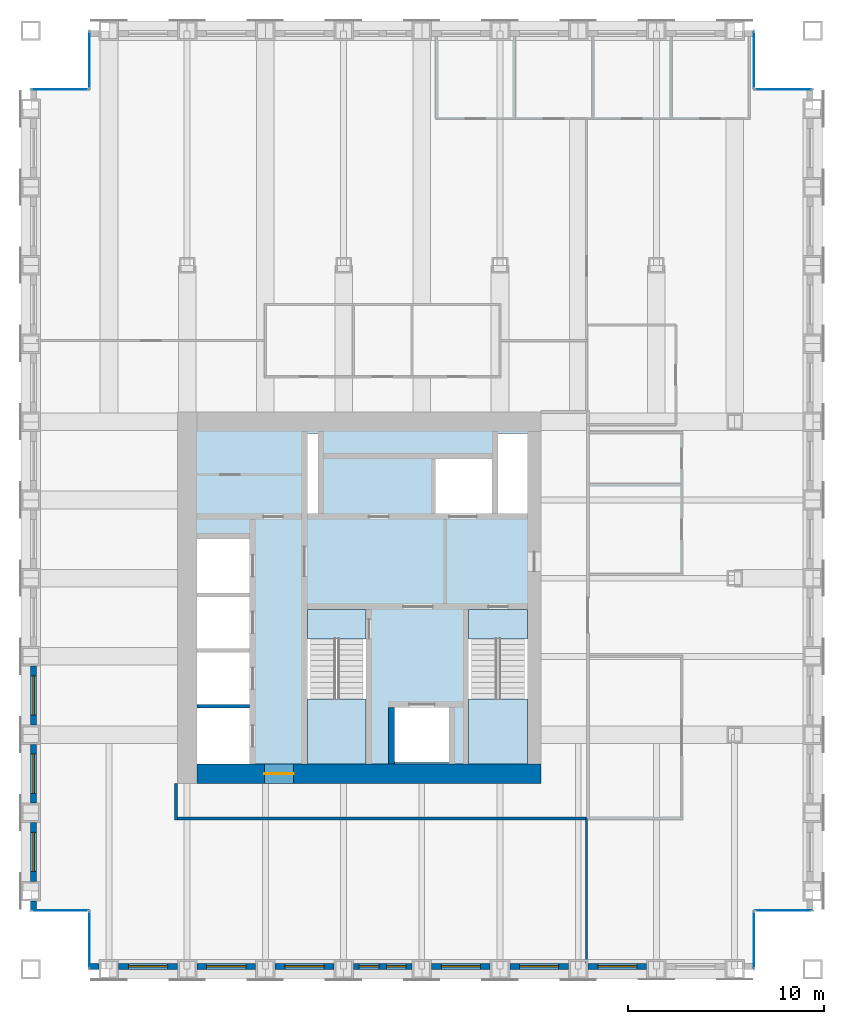
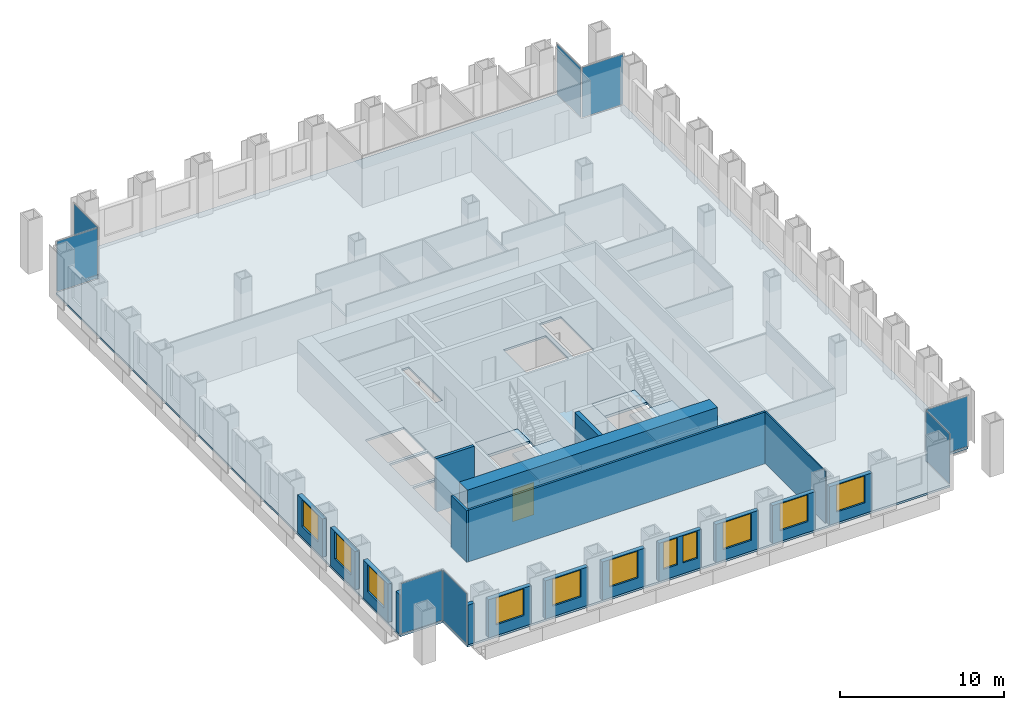
# One storey, part 8 of 13: 18 walls, 11 windows, 8 plates, 5 slabs, 1 door, 12 openings, 10 elements without a shape of their own.
"""IFC4 building model written with IfcOpenShell, lengths in metres."""

from ifc_helpers import new_model, si_unit, direction, frame, frame_2d, origin, origin_2d, place, context, subcontext, project, spatial, polyline, rectangle, outline, extrude, material, layer, layer_set, type_object, element, fill, aggregate, save


model = new_model("IFC4")

# Units and contexts
model_context = context("Model", 3, precision=1e-05, world=origin(), true_north=direction((0.0, 1.0)))
body_context = subcontext(model_context, "Body", "Model", "MODEL_VIEW")
ifc_project = project(units=[si_unit("LENGTHUNIT", "METRE"), si_unit("AREAUNIT", "SQUARE_METRE"), si_unit("VOLUMEUNIT", "CUBIC_METRE"), si_unit("PLANEANGLEUNIT", "RADIAN"), si_unit("MASSUNIT", "GRAM", prefix="KILO")], contexts=[model_context])

# Site, building, storey
site_placement = place(None, origin())
site = spatial("IfcSite", under=ifc_project, at=site_placement, CompositionType="ELEMENT")
building_placement = place(site_placement, origin())
building = spatial("IfcBuilding", under=site, at=building_placement, Name="Rimbunsela Tower", CompositionType="ELEMENT")
storey_placement = place(building_placement, frame((0.0, 0.0, 214.199951171875)))
storey = spatial("IfcBuildingStorey", under=building, at=storey_placement, Name="L51", CompositionType="ELEMENT", Elevation=214.199951171875)

# Slab
ifc_material_1 = material(Name="Concrete fc' 35 MPa", Category="concrete")
ifc_layer_1 = layer(ifc_material_1, 0.14990234375)
ifc_layer_set_1 = layer_set([ifc_layer_1], Name="Floor slab 150")
slab_type_1 = type_object("IfcSlabType", Name="Floor slab 150", PredefinedType="FLOOR", material=ifc_layer_set_1)
slab_1_placement = place(storey_placement, frame((0.0, 0.0, -0.14990234375)))
element("IfcSlab", 1, at=slab_1_placement, inside=storey, type_object=slab_type_1, Name="Floor slab L51", PredefinedType="FLOOR", context=body_context, shape_type="SweptSolid", body=[
    extrude(outline(polyline([(13.0, 8.0), (47.0, 8.0), (47.0, 11.0), (50.0, 11.0), (50.0, 53.0), (47.0, 53.0), (47.0, 56.0), (13.0, 56.0), (13.0, 53.0), (10.0, 53.0), (10.0, 11.0), (13.0, 11.0), (13.0, 8.0)]), holes=[polyline([(21.199951171875, 21.35009765625), (18.5, 21.35009765625), (18.5, 18.5), (21.199951171875, 18.5), (21.199951171875, 21.35009765625)]), polyline([(21.199951171875, 21.550048828125), (21.199951171875, 24.199951171875), (18.5, 24.199951171875), (18.5, 21.550048828125), (21.199951171875, 21.550048828125)]), polyline([(21.199951171875, 27.050048828125), (18.5, 27.050048828125), (18.5, 24.39990234375), (21.199951171875, 24.39990234375), (21.199951171875, 27.050048828125)]), polyline([(21.199951171875, 30.0), (18.5, 30.0), (18.5, 27.25), (21.199951171875, 27.25), (21.199951171875, 30.0)]), polyline([(27.14990234375, 26.39990234375), (24.14990234375, 26.39990234375), (24.14990234375, 18.60009765625), (27.14990234375, 18.60009765625), (27.14990234375, 26.39990234375)]), polyline([(24.699951171875, 31.300048828125), (24.699951171875, 35.39990234375), (24.14990234375, 35.39990234375), (24.14990234375, 31.300048828125), (24.699951171875, 31.300048828125)]), polyline([(31.39990234375, 21.39990234375), (28.60009765625, 21.39990234375), (28.60009765625, 18.60009765625), (31.39990234375, 18.60009765625), (31.39990234375, 21.39990234375)]), polyline([(33.60009765625, 34.10009765625), (30.60009765625, 34.10009765625), (30.60009765625, 31.300048828125), (33.60009765625, 31.300048828125), (33.60009765625, 34.10009765625)]), polyline([(35.39990234375, 18.60009765625), (35.39990234375, 26.39990234375), (32.39990234375, 26.39990234375), (32.39990234375, 18.60009765625), (35.39990234375, 18.60009765625)]), polyline([(35.39990234375, 31.300048828125), (35.39990234375, 35.39990234375), (33.89990234375, 35.39990234375), (33.89990234375, 31.300048828125), (35.39990234375, 31.300048828125)])]), origin(), (0.0, 0.0, 1.0), 0.14990234375),
])

# Curtain wall, plate
ifc_material_2 = material(Name="Aluminium curtain wall", Category="aluminium")
curtain_wall_type = type_object("IfcCurtainWallType", Name="Corner glazing", PredefinedType="USERDEFINED", material=ifc_material_2)
curtain_wall_1_placement = place(storey_placement, origin())
curtain_wall_1 = element("IfcCurtainWall", 2, at=curtain_wall_1_placement, inside=storey, type_object=curtain_wall_type, Name="Corner glazing L51", ObjectType="CORNER GLAZING", PredefinedType="USERDEFINED")
ifc_material_3 = material(Name="Clear double glazing", Category="glass")
ifc_layer_2 = layer(ifc_material_3, 0.028076171875)
ifc_layer_set_2 = layer_set([ifc_layer_2], Name="Glazed panel clear")
plate_type = type_object("IfcPlateType", Name="Glazed panel clear", PredefinedType="CURTAIN_PANEL", material=ifc_layer_set_2)
plate_1_placement = place(storey_placement, frame((47.0, 9.5, 0.06005859375), z_axis=(0.0, 0.0, 1.0), x_axis=(0.0, 1.0, 0.0)))
plate_1 = element("IfcPlate", 3, at=plate_1_placement, type_object=plate_type, Name="CW5 panel 1.1", PredefinedType="CURTAIN_PANEL", context=body_context, shape_type="SweptSolid", body=[
    extrude(rectangle(XDim=2.8798828125, YDim=0.028076171875, at=origin_2d()), origin(), (0.0, 0.0, 1.0), 3.72998046875),
])
aggregate(curtain_wall_1, [plate_1])

curtain_wall_2_placement = place(storey_placement, origin())
curtain_wall_2 = element("IfcCurtainWall", 4, at=curtain_wall_2_placement, inside=storey, type_object=curtain_wall_type, Name="Corner glazing L51", ObjectType="CORNER GLAZING", PredefinedType="USERDEFINED")
plate_2_placement = place(storey_placement, frame((48.5, 11.0, 0.06005859375), z_axis=(0.0, 0.0, 1.0), x_axis=(1.0, 0.0, 0.0)))
plate_2 = element("IfcPlate", 5, at=plate_2_placement, type_object=plate_type, Name="CW5 panel 1.1", PredefinedType="CURTAIN_PANEL", context=body_context, shape_type="SweptSolid", body=[
    extrude(rectangle(XDim=2.8798828125, YDim=0.028076171875, at=origin_2d()), origin(), (0.0, 0.0, 1.0), 3.72998046875),
])
aggregate(curtain_wall_2, [plate_2])

curtain_wall_3_placement = place(storey_placement, origin())
curtain_wall_3 = element("IfcCurtainWall", 6, at=curtain_wall_3_placement, inside=storey, type_object=curtain_wall_type, Name="Corner glazing L51", ObjectType="CORNER GLAZING", PredefinedType="USERDEFINED")
plate_3_placement = place(storey_placement, frame((48.5, 53.0, 0.06005859375), z_axis=(0.0, 0.0, 1.0), x_axis=(-1.0, 0.0, 0.0)))
plate_3 = element("IfcPlate", 7, at=plate_3_placement, type_object=plate_type, Name="CW5 panel 1.1", PredefinedType="CURTAIN_PANEL", context=body_context, shape_type="SweptSolid", body=[
    extrude(rectangle(XDim=2.8798828125, YDim=0.028076171875, at=origin_2d()), origin(), (0.0, 0.0, 1.0), 3.72998046875),
])
aggregate(curtain_wall_3, [plate_3])

curtain_wall_4_placement = place(storey_placement, origin())
curtain_wall_4 = element("IfcCurtainWall", 8, at=curtain_wall_4_placement, inside=storey, type_object=curtain_wall_type, Name="Corner glazing L51", ObjectType="CORNER GLAZING", PredefinedType="USERDEFINED")
plate_4_placement = place(storey_placement, frame((47.0, 54.5, 0.06005859375), z_axis=(0.0, 0.0, 1.0), x_axis=(0.0, 1.0, 0.0)))
plate_4 = element("IfcPlate", 9, at=plate_4_placement, type_object=plate_type, Name="CW5 panel 1.1", PredefinedType="CURTAIN_PANEL", context=body_context, shape_type="SweptSolid", body=[
    extrude(rectangle(XDim=2.8798828125, YDim=0.028076171875, at=origin_2d()), origin(), (0.0, 0.0, 1.0), 3.72998046875),
])
aggregate(curtain_wall_4, [plate_4])

curtain_wall_5_placement = place(storey_placement, origin())
curtain_wall_5 = element("IfcCurtainWall", 10, at=curtain_wall_5_placement, inside=storey, type_object=curtain_wall_type, Name="Corner glazing L51", ObjectType="CORNER GLAZING", PredefinedType="USERDEFINED")
plate_5_placement = place(storey_placement, frame((13.0, 54.5, 0.06005859375), z_axis=(0.0, 0.0, 1.0), x_axis=(0.0, -1.0, 0.0)))
plate_5 = element("IfcPlate", 11, at=plate_5_placement, type_object=plate_type, Name="CW5 panel 1.1", PredefinedType="CURTAIN_PANEL", context=body_context, shape_type="SweptSolid", body=[
    extrude(rectangle(XDim=2.8798828125, YDim=0.028076171875, at=origin_2d()), origin(), (0.0, 0.0, 1.0), 3.72998046875),
])
aggregate(curtain_wall_5, [plate_5])

curtain_wall_6_placement = place(storey_placement, origin())
curtain_wall_6 = element("IfcCurtainWall", 12, at=curtain_wall_6_placement, inside=storey, type_object=curtain_wall_type, Name="Corner glazing L51", ObjectType="CORNER GLAZING", PredefinedType="USERDEFINED")
plate_6_placement = place(storey_placement, frame((11.5, 53.0, 0.06005859375), z_axis=(0.0, 0.0, 1.0), x_axis=(-1.0, 0.0, 0.0)))
plate_6 = element("IfcPlate", 13, at=plate_6_placement, type_object=plate_type, Name="CW5 panel 1.1", PredefinedType="CURTAIN_PANEL", context=body_context, shape_type="SweptSolid", body=[
    extrude(rectangle(XDim=2.8798828125, YDim=0.028076171875, at=origin_2d()), origin(), (0.0, 0.0, 1.0), 3.72998046875),
])
aggregate(curtain_wall_6, [plate_6])

curtain_wall_7_placement = place(storey_placement, origin())
curtain_wall_7 = element("IfcCurtainWall", 14, at=curtain_wall_7_placement, inside=storey, type_object=curtain_wall_type, Name="Corner glazing L51", ObjectType="CORNER GLAZING", PredefinedType="USERDEFINED")
plate_7_placement = place(storey_placement, frame((11.5, 11.0, 0.06005859375), z_axis=(0.0, 0.0, 1.0), x_axis=(1.0, 0.0, 0.0)))
plate_7 = element("IfcPlate", 15, at=plate_7_placement, type_object=plate_type, Name="CW5 panel 1.1", PredefinedType="CURTAIN_PANEL", context=body_context, shape_type="SweptSolid", body=[
    extrude(rectangle(XDim=2.8798828125, YDim=0.028076171875, at=origin_2d()), origin(), (0.0, 0.0, 1.0), 3.72998046875),
])
aggregate(curtain_wall_7, [plate_7])

curtain_wall_8_placement = place(storey_placement, origin())
curtain_wall_8 = element("IfcCurtainWall", 16, at=curtain_wall_8_placement, inside=storey, type_object=curtain_wall_type, Name="Corner glazing L51", ObjectType="CORNER GLAZING", PredefinedType="USERDEFINED")
plate_8_placement = place(storey_placement, frame((13.0, 9.5, 0.06005859375), z_axis=(0.0, 0.0, 1.0), x_axis=(0.0, -1.0, 0.0)))
plate_8 = element("IfcPlate", 17, at=plate_8_placement, type_object=plate_type, Name="CW5 panel 1.1", PredefinedType="CURTAIN_PANEL", context=body_context, shape_type="SweptSolid", body=[
    extrude(rectangle(XDim=2.8798828125, YDim=0.028076171875, at=origin_2d()), origin(), (0.0, 0.0, 1.0), 3.72998046875),
])
aggregate(curtain_wall_8, [plate_8])

# Stair, slabs
ifc_material_4 = material(Name="Concrete fc' 35 MPa", Category="concrete")
stair_type = type_object("IfcStairType", Name="Exit stair 24 risers", PredefinedType="HALF_TURN_STAIR", material=ifc_material_4)
stair_1_placement = place(storey_placement, origin())
stair_1 = element("IfcStair", 18, at=stair_1_placement, inside=storey, type_object=stair_type, Name="Exit stair A L51", PredefinedType="HALF_TURN_STAIR")
ifc_material_5 = material(Name="Concrete fc' 35 MPa", Category="concrete")
ifc_layer_3 = layer(ifc_material_5, 0.199951171875)
ifc_layer_set_3 = layer_set([ifc_layer_3], Name="Stair landing 200")
slab_type_2 = type_object("IfcSlabType", Name="Stair landing 200", PredefinedType="LANDING", material=ifc_layer_set_3)
slab_2_placement = place(storey_placement, frame((0.0, 0.0, -0.199951171875)))
slab_2 = element("IfcSlab", 19, at=slab_2_placement, type_object=slab_type_2, Name="ST-A landing 1", PredefinedType="LANDING", context=body_context, shape_type="SweptSolid", body=[
    extrude(outline(polyline([(24.14990234375, 24.89990234375), (27.14990234375, 24.89990234375), (27.14990234375, 26.39990234375), (24.14990234375, 26.39990234375), (24.14990234375, 24.89990234375)])), origin(), (0.0, 0.0, 1.0), 0.199951171875),
])
slab_3_placement = place(storey_placement, frame((0.0, 0.0, 1.800048828125)))
slab_3 = element("IfcSlab", 20, at=slab_3_placement, type_object=slab_type_2, Name="ST-A landing 2", PredefinedType="LANDING", context=body_context, shape_type="SweptSolid", body=[
    extrude(outline(polyline([(24.14990234375, 18.5), (27.14990234375, 18.5), (27.14990234375, 21.820068359375), (24.14990234375, 21.820068359375), (24.14990234375, 18.5)])), origin(), (0.0, 0.0, 1.0), 0.199951171875),
])
aggregate(stair_1, [slab_2, slab_3])

stair_2_placement = place(storey_placement, origin())
stair_2 = element("IfcStair", 21, at=stair_2_placement, inside=storey, type_object=stair_type, Name="Exit stair B L51", PredefinedType="HALF_TURN_STAIR")
slab_4_placement = place(storey_placement, frame((0.0, 0.0, -0.199951171875)))
slab_4 = element("IfcSlab", 22, at=slab_4_placement, type_object=slab_type_2, Name="ST-B landing 1", PredefinedType="LANDING", context=body_context, shape_type="SweptSolid", body=[
    extrude(outline(polyline([(32.39990234375, 24.89990234375), (35.39990234375, 24.89990234375), (35.39990234375, 26.39990234375), (32.39990234375, 26.39990234375), (32.39990234375, 24.89990234375)])), origin(), (0.0, 0.0, 1.0), 0.199951171875),
])
slab_5_placement = place(storey_placement, frame((0.0, 0.0, 1.800048828125)))
slab_5 = element("IfcSlab", 23, at=slab_5_placement, type_object=slab_type_2, Name="ST-B landing 2", PredefinedType="LANDING", context=body_context, shape_type="SweptSolid", body=[
    extrude(outline(polyline([(32.39990234375, 18.5), (35.39990234375, 18.5), (35.39990234375, 21.820068359375), (32.39990234375, 21.820068359375), (32.39990234375, 18.5)])), origin(), (0.0, 0.0, 1.0), 0.199951171875),
])
aggregate(stair_2, [slab_4, slab_5])

# Wall
ifc_material_6 = material(Name="Concrete fc' 80 MPa", Category="concrete")
ifc_layer_4 = layer(ifc_material_6, 0.300048828125)
ifc_layer_set_4 = layer_set([ifc_layer_4], Name="Core internal wall 300")
wall_type_1 = type_object("IfcWallType", Name="Core internal wall 300", PredefinedType="SHEAR", material=ifc_layer_set_4)
wall_1_placement = place(storey_placement, frame((28.449951171875, 18.5, -0.14990234375), z_axis=(0.0, 0.0, 1.0), x_axis=(0.0, 1.0, 0.0)))
element("IfcWall", 24, at=wall_1_placement, inside=storey, type_object=wall_type_1, Name="Firefighting lift shaft west", PredefinedType="SHEAR", context=body_context, shape_type="SweptSolid", body=[
    extrude(rectangle(XDim=2.89990234375, YDim=0.300048828125, at=frame_2d((1.449951171875, 0.0))), origin(), (0.0, 0.0, 1.0), 4.0),
])

# Wall, opening, door
ifc_material_7 = material(Name="Concrete fc' 80 MPa", Category="concrete")
ifc_layer_5 = layer(ifc_material_7, 1.0)
ifc_layer_set_5 = layer_set([ifc_layer_5], Name="Core wall 1000")
wall_type_2 = type_object("IfcWallType", Name="Core wall 1000", PredefinedType="SHEAR", material=ifc_layer_set_5)
wall_2_placement = place(storey_placement, frame((18.5, 18.0, -0.14990234375), z_axis=(0.0, 0.0, 1.0), x_axis=(1.0, 0.0, 0.0)))
wall_2 = element("IfcWall", 25, at=wall_2_placement, inside=storey, type_object=wall_type_2, Name="Core wall south", PredefinedType="SHEAR", context=body_context, shape_type="SweptSolid", body=[
    extrude(rectangle(XDim=17.60009765625, YDim=1.0, at=frame_2d((8.800048828125, 0.0))), origin(), (0.0, 0.0, 1.0), 4.0),
])
opening_1_placement = place(wall_2_placement, frame((3.449951171875, 0.0, 0.14990234375)))
opening_1 = element("IfcOpeningElement", 26, at=opening_1_placement, cuts=wall_2, Name="Opening D03", PredefinedType="OPENING", context=body_context, shape_type="SweptSolid", body=[
    extrude(rectangle(XDim=1.5, YDim=2.39990234375, at=frame_2d((0.75, 1.199951171875))), frame((0.0, 0.510009765625, 0.0), z_axis=(0.0, -1.0, 0.0), x_axis=(1.0, 0.0, 0.0)), (0.0, 0.0, 1.0), 1.02001953125),
])
ifc_material_8 = material(Name="Steel door, fire rated", Category="steel")
door_type = type_object("IfcDoorType", Name="Core lobby door 1500", OperationType="DOUBLE_DOOR_DOUBLE_SWING", PredefinedType="DOOR", material=ifc_material_8)
door_placement = place(opening_1_placement, origin())
door = element("IfcDoor", 27, at=door_placement, inside=storey, type_object=door_type, Name="Core door south", OperationType="DOUBLE_DOOR_DOUBLE_SWING", OverallHeight=2.39990234375, OverallWidth=1.5, PredefinedType="DOOR", context=body_context, shape_type="SweptSolid", body=[
    extrude(rectangle(XDim=1.5, YDim=2.39990234375, at=frame_2d((0.75, 1.199951171875))), frame((0.0, 0.02490234375, 0.0), z_axis=(0.0, -1.0, 0.0), x_axis=(1.0, 0.0, 0.0)), (0.0, 0.0, 1.0), 0.050048828125),
])
fill(opening_1, door)

# Walls
ifc_material_9 = material(Name="Concrete blockwork", Category="masonry")
ifc_layer_6 = layer(ifc_material_9, 0.199951171875)
ifc_layer_set_6 = layer_set([ifc_layer_6], Name="Lift shaft wall 200")
wall_type_3 = type_object("IfcWallType", Name="Lift shaft wall 200", PredefinedType="SOLIDWALL", material=ifc_layer_set_6)
wall_3_placement = place(storey_placement, frame((18.5, 21.449951171875, -0.14990234375), z_axis=(0.0, 0.0, 1.0), x_axis=(1.0, 0.0, 0.0)))
element("IfcWall", 28, at=wall_3_placement, inside=storey, type_object=wall_type_3, Name="Lift shaft separation", PredefinedType="SOLIDWALL", context=body_context, shape_type="SweptSolid", body=[
    extrude(rectangle(XDim=2.699951171875, YDim=0.199951171875, at=frame_2d((1.35009765625, 0.0))), origin(), (0.0, 0.0, 1.0), 4.0),
])
ifc_material_10 = material(Name="Gypsum board on steel studs", Category="steel")
ifc_layer_7 = layer(ifc_material_10, 0.10009765625)
ifc_layer_set_7 = layer_set([ifc_layer_7], Name="Office partition 100")
wall_type_4 = type_object("IfcWallType", Name="Office partition 100", PredefinedType="PARTITIONING", material=ifc_layer_set_7)
wall_4_placement = place(storey_placement, frame((38.425048828125, 15.699951171875, 0.0), z_axis=(0.0, 0.0, 1.0), x_axis=(0.0, -1.0, 0.0)))
element("IfcWall", 29, at=wall_4_placement, inside=storey, type_object=wall_type_4, Name="Office partition", PredefinedType="PARTITIONING", context=body_context, shape_type="SweptSolid", body=[
    extrude(rectangle(XDim=7.39990234375, YDim=0.10009765625, at=frame_2d((3.699951171875, 0.0))), origin(), (0.0, 0.0, 1.0), 3.85009765625),
])
ifc_material_11 = material(Name="Precast concrete fc' 35 MPa", Category="concrete")
ifc_layer_8 = layer(ifc_material_11, 0.300048828125)
ifc_layer_set_8 = layer_set([ifc_layer_8], Name="Precast concrete fc' 35 MPa")
wall_type_5 = type_object("IfcWallType", Name="Precast facade panel 300", PredefinedType="ELEMENTEDWALL", material=ifc_layer_set_8)
wall_5_placement = place(storey_placement, frame((13.030029296875, 8.14990234375, 0.0), z_axis=(0.0, 0.0, 1.0), x_axis=(1.0, 0.0, 0.0)))
element("IfcWall", 30, at=wall_5_placement, inside=storey, type_object=wall_type_5, Name="Facade panel S L51", PredefinedType="ELEMENTEDWALL", context=body_context, shape_type="SweptSolid", body=[
    extrude(rectangle(XDim=0.469970703125, YDim=0.300048828125, at=frame_2d((0.23486328125, 0.0))), origin(), (0.0, 0.0, 1.0), 2.949951171875),
])

# Wall, opening, window
wall_6_placement = place(storey_placement, frame((14.5, 8.14990234375, 0.0), z_axis=(0.0, 0.0, 1.0), x_axis=(1.0, 0.0, 0.0)))
wall_6 = element("IfcWall", 31, at=wall_6_placement, inside=storey, type_object=wall_type_5, Name="Facade panel S L51", PredefinedType="ELEMENTEDWALL", context=body_context, shape_type="SweptSolid", body=[
    extrude(rectangle(XDim=3.0, YDim=0.300048828125, at=frame_2d((1.5, 0.0))), origin(), (0.0, 0.0, 1.0), 2.85009765625),
])
opening_2_placement = place(wall_6_placement, frame((0.5, 0.0, 0.800048828125)))
opening_2 = element("IfcOpeningElement", 32, at=opening_2_placement, cuts=wall_6, Name="Opening W1", PredefinedType="OPENING", context=body_context, shape_type="SweptSolid", body=[
    extrude(rectangle(XDim=2.0, YDim=2.0, at=frame_2d((1.0, 1.0))), frame((0.0, 0.159912109375, 0.0), z_axis=(0.0, -1.0, 0.0), x_axis=(1.0, 0.0, 0.0)), (0.0, 0.0, 1.0), 0.320068359375),
])
ifc_material_12 = material(Name="Clear glass in aluminium frame", Category="aluminium")
window_type_1 = type_object("IfcWindowType", Name="Window W1 2000x2000", PartitioningType="DOUBLE_PANEL_VERTICAL", PredefinedType="WINDOW", material=ifc_material_12)
window_1_placement = place(opening_2_placement, origin())
window_1 = element("IfcWindow", 33, at=window_1_placement, inside=storey, type_object=window_type_1, Name="Window L51", OverallHeight=2.0, OverallWidth=2.0, PartitioningType="SINGLE_PANEL", PredefinedType="WINDOW", context=body_context, shape_type="SweptSolid", body=[
    extrude(rectangle(XDim=2.0, YDim=2.0, at=frame_2d((1.0, 1.0))), frame((0.0, 0.030029296875, 0.0), z_axis=(0.0, -1.0, 0.0), x_axis=(1.0, 0.0, 0.0)), (0.0, 0.0, 1.0), 0.06005859375),
])
fill(opening_2, window_1)

wall_7_placement = place(storey_placement, frame((18.5, 8.14990234375, 0.0), z_axis=(0.0, 0.0, 1.0), x_axis=(1.0, 0.0, 0.0)))
wall_7 = element("IfcWall", 34, at=wall_7_placement, inside=storey, type_object=wall_type_5, Name="Facade panel S L51", PredefinedType="ELEMENTEDWALL", context=body_context, shape_type="SweptSolid", body=[
    extrude(rectangle(XDim=3.0, YDim=0.300048828125, at=frame_2d((1.5, 0.0))), origin(), (0.0, 0.0, 1.0), 2.85009765625),
])
opening_3_placement = place(wall_7_placement, frame((0.5, 0.0, 0.800048828125)))
opening_3 = element("IfcOpeningElement", 35, at=opening_3_placement, cuts=wall_7, Name="Opening W1", PredefinedType="OPENING", context=body_context, shape_type="SweptSolid", body=[
    extrude(rectangle(XDim=2.0, YDim=2.0, at=frame_2d((1.0, 1.0))), frame((0.0, 0.159912109375, 0.0), z_axis=(0.0, -1.0, 0.0), x_axis=(1.0, 0.0, 0.0)), (0.0, 0.0, 1.0), 0.320068359375),
])
window_2_placement = place(opening_3_placement, origin())
window_2 = element("IfcWindow", 36, at=window_2_placement, inside=storey, type_object=window_type_1, Name="Window L51", OverallHeight=2.0, OverallWidth=2.0, PartitioningType="SINGLE_PANEL", PredefinedType="WINDOW", context=body_context, shape_type="SweptSolid", body=[
    extrude(rectangle(XDim=2.0, YDim=2.0, at=frame_2d((1.0, 1.0))), frame((0.0, 0.030029296875, 0.0), z_axis=(0.0, -1.0, 0.0), x_axis=(1.0, 0.0, 0.0)), (0.0, 0.0, 1.0), 0.06005859375),
])
fill(opening_3, window_2)

wall_8_placement = place(storey_placement, frame((22.5, 8.14990234375, 0.0), z_axis=(0.0, 0.0, 1.0), x_axis=(1.0, 0.0, 0.0)))
wall_8 = element("IfcWall", 37, at=wall_8_placement, inside=storey, type_object=wall_type_5, Name="Facade panel S L51", PredefinedType="ELEMENTEDWALL", context=body_context, shape_type="SweptSolid", body=[
    extrude(rectangle(XDim=3.0, YDim=0.300048828125, at=frame_2d((1.5, 0.0))), origin(), (0.0, 0.0, 1.0), 2.85009765625),
])
opening_4_placement = place(wall_8_placement, frame((0.5, 0.0, 0.800048828125)))
opening_4 = element("IfcOpeningElement", 38, at=opening_4_placement, cuts=wall_8, Name="Opening W1", PredefinedType="OPENING", context=body_context, shape_type="SweptSolid", body=[
    extrude(rectangle(XDim=2.0, YDim=2.0, at=frame_2d((1.0, 1.0))), frame((0.0, 0.159912109375, 0.0), z_axis=(0.0, -1.0, 0.0), x_axis=(1.0, 0.0, 0.0)), (0.0, 0.0, 1.0), 0.320068359375),
])
window_3_placement = place(opening_4_placement, origin())
window_3 = element("IfcWindow", 39, at=window_3_placement, inside=storey, type_object=window_type_1, Name="Window L51", OverallHeight=2.0, OverallWidth=2.0, PartitioningType="SINGLE_PANEL", PredefinedType="WINDOW", context=body_context, shape_type="SweptSolid", body=[
    extrude(rectangle(XDim=2.0, YDim=2.0, at=frame_2d((1.0, 1.0))), frame((0.0, 0.030029296875, 0.0), z_axis=(0.0, -1.0, 0.0), x_axis=(1.0, 0.0, 0.0)), (0.0, 0.0, 1.0), 0.06005859375),
])
fill(opening_4, window_3)

# Wall, openings, windows
wall_9_placement = place(storey_placement, frame((26.5, 8.14990234375, 0.0), z_axis=(0.0, 0.0, 1.0), x_axis=(1.0, 0.0, 0.0)))
wall_9 = element("IfcWall", 40, at=wall_9_placement, inside=storey, type_object=wall_type_5, Name="Facade panel S L51", PredefinedType="ELEMENTEDWALL", context=body_context, shape_type="SweptSolid", body=[
    extrude(rectangle(XDim=3.0, YDim=0.300048828125, at=frame_2d((1.5, 0.0))), origin(), (0.0, 0.0, 1.0), 2.85009765625),
])
opening_5_placement = place(wall_9_placement, frame((0.300048828125, 0.0, 0.800048828125)))
opening_5 = element("IfcOpeningElement", 41, at=opening_5_placement, cuts=wall_9, Name="Opening W5", PredefinedType="OPENING", context=body_context, shape_type="SweptSolid", body=[
    extrude(rectangle(XDim=1.0, YDim=2.0, at=frame_2d((0.5, 1.0))), frame((0.0, 0.159912109375, 0.0), z_axis=(0.0, -1.0, 0.0), x_axis=(1.0, 0.0, 0.0)), (0.0, 0.0, 1.0), 0.320068359375),
])
opening_6_placement = place(wall_9_placement, frame((1.699951171875, 0.0, 0.800048828125)))
opening_6 = element("IfcOpeningElement", 42, at=opening_6_placement, cuts=wall_9, Name="Opening W5", PredefinedType="OPENING", context=body_context, shape_type="SweptSolid", body=[
    extrude(rectangle(XDim=1.0, YDim=2.0, at=frame_2d((0.5, 1.0))), frame((0.0, 0.159912109375, 0.0), z_axis=(0.0, -1.0, 0.0), x_axis=(1.0, 0.0, 0.0)), (0.0, 0.0, 1.0), 0.320068359375),
])
ifc_material_13 = material(Name="Clear glass in aluminium frame", Category="aluminium")
window_type_2 = type_object("IfcWindowType", Name="Window W5 1000x2000", PartitioningType="SINGLE_PANEL", PredefinedType="WINDOW", material=ifc_material_13)
window_4_placement = place(opening_5_placement, origin())
window_4 = element("IfcWindow", 43, at=window_4_placement, inside=storey, type_object=window_type_2, Name="Window L51", OverallHeight=2.0, OverallWidth=1.0, PartitioningType="SINGLE_PANEL", PredefinedType="WINDOW", context=body_context, shape_type="SweptSolid", body=[
    extrude(rectangle(XDim=1.0, YDim=2.0, at=frame_2d((0.5, 1.0))), frame((0.0, 0.030029296875, 0.0), z_axis=(0.0, -1.0, 0.0), x_axis=(1.0, 0.0, 0.0)), (0.0, 0.0, 1.0), 0.06005859375),
])
fill(opening_5, window_4)
window_5_placement = place(opening_6_placement, origin())
window_5 = element("IfcWindow", 44, at=window_5_placement, inside=storey, type_object=window_type_2, Name="Window L51", OverallHeight=2.0, OverallWidth=1.0, PartitioningType="SINGLE_PANEL", PredefinedType="WINDOW", context=body_context, shape_type="SweptSolid", body=[
    extrude(rectangle(XDim=1.0, YDim=2.0, at=frame_2d((0.5, 1.0))), frame((0.0, 0.030029296875, 0.0), z_axis=(0.0, -1.0, 0.0), x_axis=(1.0, 0.0, 0.0)), (0.0, 0.0, 1.0), 0.06005859375),
])
fill(opening_6, window_5)

# Wall, opening, window
wall_10_placement = place(storey_placement, frame((30.5, 8.14990234375, 0.0), z_axis=(0.0, 0.0, 1.0), x_axis=(1.0, 0.0, 0.0)))
wall_10 = element("IfcWall", 45, at=wall_10_placement, inside=storey, type_object=wall_type_5, Name="Facade panel S L51", PredefinedType="ELEMENTEDWALL", context=body_context, shape_type="SweptSolid", body=[
    extrude(rectangle(XDim=3.0, YDim=0.300048828125, at=frame_2d((1.5, 0.0))), origin(), (0.0, 0.0, 1.0), 2.85009765625),
])
opening_7_placement = place(wall_10_placement, frame((0.5, 0.0, 0.800048828125)))
opening_7 = element("IfcOpeningElement", 46, at=opening_7_placement, cuts=wall_10, Name="Opening W1", PredefinedType="OPENING", context=body_context, shape_type="SweptSolid", body=[
    extrude(rectangle(XDim=2.0, YDim=2.0, at=frame_2d((1.0, 1.0))), frame((0.0, 0.159912109375, 0.0), z_axis=(0.0, -1.0, 0.0), x_axis=(1.0, 0.0, 0.0)), (0.0, 0.0, 1.0), 0.320068359375),
])
window_6_placement = place(opening_7_placement, origin())
window_6 = element("IfcWindow", 47, at=window_6_placement, inside=storey, type_object=window_type_1, Name="Window L51", OverallHeight=2.0, OverallWidth=2.0, PartitioningType="SINGLE_PANEL", PredefinedType="WINDOW", context=body_context, shape_type="SweptSolid", body=[
    extrude(rectangle(XDim=2.0, YDim=2.0, at=frame_2d((1.0, 1.0))), frame((0.0, 0.030029296875, 0.0), z_axis=(0.0, -1.0, 0.0), x_axis=(1.0, 0.0, 0.0)), (0.0, 0.0, 1.0), 0.06005859375),
])
fill(opening_7, window_6)

wall_11_placement = place(storey_placement, frame((34.5, 8.14990234375, 0.0), z_axis=(0.0, 0.0, 1.0), x_axis=(1.0, 0.0, 0.0)))
wall_11 = element("IfcWall", 48, at=wall_11_placement, inside=storey, type_object=wall_type_5, Name="Facade panel S L51", PredefinedType="ELEMENTEDWALL", context=body_context, shape_type="SweptSolid", body=[
    extrude(rectangle(XDim=3.0, YDim=0.300048828125, at=frame_2d((1.5, 0.0))), origin(), (0.0, 0.0, 1.0), 2.85009765625),
])
opening_8_placement = place(wall_11_placement, frame((0.5, 0.0, 0.800048828125)))
opening_8 = element("IfcOpeningElement", 49, at=opening_8_placement, cuts=wall_11, Name="Opening W1", PredefinedType="OPENING", context=body_context, shape_type="SweptSolid", body=[
    extrude(rectangle(XDim=2.0, YDim=2.0, at=frame_2d((1.0, 1.0))), frame((0.0, 0.159912109375, 0.0), z_axis=(0.0, -1.0, 0.0), x_axis=(1.0, 0.0, 0.0)), (0.0, 0.0, 1.0), 0.320068359375),
])
window_7_placement = place(opening_8_placement, origin())
window_7 = element("IfcWindow", 50, at=window_7_placement, inside=storey, type_object=window_type_1, Name="Window L51", OverallHeight=2.0, OverallWidth=2.0, PartitioningType="SINGLE_PANEL", PredefinedType="WINDOW", context=body_context, shape_type="SweptSolid", body=[
    extrude(rectangle(XDim=2.0, YDim=2.0, at=frame_2d((1.0, 1.0))), frame((0.0, 0.030029296875, 0.0), z_axis=(0.0, -1.0, 0.0), x_axis=(1.0, 0.0, 0.0)), (0.0, 0.0, 1.0), 0.06005859375),
])
fill(opening_8, window_7)

wall_12_placement = place(storey_placement, frame((38.5, 8.14990234375, 0.0), z_axis=(0.0, 0.0, 1.0), x_axis=(1.0, 0.0, 0.0)))
wall_12 = element("IfcWall", 51, at=wall_12_placement, inside=storey, type_object=wall_type_5, Name="Facade panel S L51", PredefinedType="ELEMENTEDWALL", context=body_context, shape_type="SweptSolid", body=[
    extrude(rectangle(XDim=3.0, YDim=0.300048828125, at=frame_2d((1.5, 0.0))), origin(), (0.0, 0.0, 1.0), 2.85009765625),
])
opening_9_placement = place(wall_12_placement, frame((0.5, 0.0, 0.800048828125)))
opening_9 = element("IfcOpeningElement", 52, at=opening_9_placement, cuts=wall_12, Name="Opening W1", PredefinedType="OPENING", context=body_context, shape_type="SweptSolid", body=[
    extrude(rectangle(XDim=2.0, YDim=2.0, at=frame_2d((1.0, 1.0))), frame((0.0, 0.159912109375, 0.0), z_axis=(0.0, -1.0, 0.0), x_axis=(1.0, 0.0, 0.0)), (0.0, 0.0, 1.0), 0.320068359375),
])
window_8_placement = place(opening_9_placement, origin())
window_8 = element("IfcWindow", 53, at=window_8_placement, inside=storey, type_object=window_type_1, Name="Window L51", OverallHeight=2.0, OverallWidth=2.0, PartitioningType="SINGLE_PANEL", PredefinedType="WINDOW", context=body_context, shape_type="SweptSolid", body=[
    extrude(rectangle(XDim=2.0, YDim=2.0, at=frame_2d((1.0, 1.0))), frame((0.0, 0.030029296875, 0.0), z_axis=(0.0, -1.0, 0.0), x_axis=(1.0, 0.0, 0.0)), (0.0, 0.0, 1.0), 0.06005859375),
])
fill(opening_9, window_8)

# Wall
wall_13_placement = place(storey_placement, frame((10.14990234375, 11.5, 0.0), z_axis=(0.0, 0.0, 1.0), x_axis=(0.0, -1.0, 0.0)))
element("IfcWall", 54, at=wall_13_placement, inside=storey, type_object=wall_type_5, Name="Facade panel W L51", PredefinedType="ELEMENTEDWALL", context=body_context, shape_type="SweptSolid", body=[
    extrude(rectangle(XDim=0.469970703125, YDim=0.300048828125, at=frame_2d((0.23486328125, 0.0))), origin(), (0.0, 0.0, 1.0), 2.949951171875),
])

# Wall, opening, window
wall_14_placement = place(storey_placement, frame((10.14990234375, 15.5, 0.0), z_axis=(0.0, 0.0, 1.0), x_axis=(0.0, -1.0, 0.0)))
wall_14 = element("IfcWall", 55, at=wall_14_placement, inside=storey, type_object=wall_type_5, Name="Facade panel W L51", PredefinedType="ELEMENTEDWALL", context=body_context, shape_type="SweptSolid", body=[
    extrude(rectangle(XDim=3.0, YDim=0.300048828125, at=frame_2d((1.5, 0.0))), origin(), (0.0, 0.0, 1.0), 2.85009765625),
])
opening_10_placement = place(wall_14_placement, frame((0.5, 0.0, 0.800048828125)))
opening_10 = element("IfcOpeningElement", 56, at=opening_10_placement, cuts=wall_14, Name="Opening W1", PredefinedType="OPENING", context=body_context, shape_type="SweptSolid", body=[
    extrude(rectangle(XDim=2.0, YDim=2.0, at=frame_2d((1.0, 1.0))), frame((0.0, 0.159912109375, 0.0), z_axis=(0.0, -1.0, 0.0), x_axis=(1.0, 0.0, 0.0)), (0.0, 0.0, 1.0), 0.320068359375),
])
window_9_placement = place(opening_10_placement, origin())
window_9 = element("IfcWindow", 57, at=window_9_placement, inside=storey, type_object=window_type_1, Name="Window L51", OverallHeight=2.0, OverallWidth=2.0, PartitioningType="SINGLE_PANEL", PredefinedType="WINDOW", context=body_context, shape_type="SweptSolid", body=[
    extrude(rectangle(XDim=2.0, YDim=2.0, at=frame_2d((1.0, 1.0))), frame((0.0, 0.030029296875, 0.0), z_axis=(0.0, -1.0, 0.0), x_axis=(1.0, 0.0, 0.0)), (0.0, 0.0, 1.0), 0.06005859375),
])
fill(opening_10, window_9)

wall_15_placement = place(storey_placement, frame((10.14990234375, 19.5, 0.0), z_axis=(0.0, 0.0, 1.0), x_axis=(0.0, -1.0, 0.0)))
wall_15 = element("IfcWall", 58, at=wall_15_placement, inside=storey, type_object=wall_type_5, Name="Facade panel W L51", PredefinedType="ELEMENTEDWALL", context=body_context, shape_type="SweptSolid", body=[
    extrude(rectangle(XDim=3.0, YDim=0.300048828125, at=frame_2d((1.5, 0.0))), origin(), (0.0, 0.0, 1.0), 2.85009765625),
])
opening_11_placement = place(wall_15_placement, frame((0.5, 0.0, 0.800048828125)))
opening_11 = element("IfcOpeningElement", 59, at=opening_11_placement, cuts=wall_15, Name="Opening W1", PredefinedType="OPENING", context=body_context, shape_type="SweptSolid", body=[
    extrude(rectangle(XDim=2.0, YDim=2.0, at=frame_2d((1.0, 1.0))), frame((0.0, 0.159912109375, 0.0), z_axis=(0.0, -1.0, 0.0), x_axis=(1.0, 0.0, 0.0)), (0.0, 0.0, 1.0), 0.320068359375),
])
window_10_placement = place(opening_11_placement, origin())
window_10 = element("IfcWindow", 60, at=window_10_placement, inside=storey, type_object=window_type_1, Name="Window L51", OverallHeight=2.0, OverallWidth=2.0, PartitioningType="SINGLE_PANEL", PredefinedType="WINDOW", context=body_context, shape_type="SweptSolid", body=[
    extrude(rectangle(XDim=2.0, YDim=2.0, at=frame_2d((1.0, 1.0))), frame((0.0, 0.030029296875, 0.0), z_axis=(0.0, -1.0, 0.0), x_axis=(1.0, 0.0, 0.0)), (0.0, 0.0, 1.0), 0.06005859375),
])
fill(opening_11, window_10)

wall_16_placement = place(storey_placement, frame((10.14990234375, 23.5, 0.0), z_axis=(0.0, 0.0, 1.0), x_axis=(0.0, -1.0, 0.0)))
wall_16 = element("IfcWall", 61, at=wall_16_placement, inside=storey, type_object=wall_type_5, Name="Facade panel W L51", PredefinedType="ELEMENTEDWALL", context=body_context, shape_type="SweptSolid", body=[
    extrude(rectangle(XDim=3.0, YDim=0.300048828125, at=frame_2d((1.5, 0.0))), origin(), (0.0, 0.0, 1.0), 2.85009765625),
])
opening_12_placement = place(wall_16_placement, frame((0.5, 0.0, 0.800048828125)))
opening_12 = element("IfcOpeningElement", 62, at=opening_12_placement, cuts=wall_16, Name="Opening W1", PredefinedType="OPENING", context=body_context, shape_type="SweptSolid", body=[
    extrude(rectangle(XDim=2.0, YDim=2.0, at=frame_2d((1.0, 1.0))), frame((0.0, 0.159912109375, 0.0), z_axis=(0.0, -1.0, 0.0), x_axis=(1.0, 0.0, 0.0)), (0.0, 0.0, 1.0), 0.320068359375),
])
window_11_placement = place(opening_12_placement, origin())
window_11 = element("IfcWindow", 63, at=window_11_placement, inside=storey, type_object=window_type_1, Name="Window L51", OverallHeight=2.0, OverallWidth=2.0, PartitioningType="SINGLE_PANEL", PredefinedType="WINDOW", context=body_context, shape_type="SweptSolid", body=[
    extrude(rectangle(XDim=2.0, YDim=2.0, at=frame_2d((1.0, 1.0))), frame((0.0, 0.030029296875, 0.0), z_axis=(0.0, -1.0, 0.0), x_axis=(1.0, 0.0, 0.0)), (0.0, 0.0, 1.0), 0.06005859375),
])
fill(opening_12, window_11)

# Walls
ifc_material_14 = material(Name="Fire-rated gypsum board on steel studs, EI 60", Category="steel")
ifc_layer_9 = layer(ifc_material_14, 0.14990234375)
ifc_layer_set_9 = layer_set([ifc_layer_9], Name="Rated corridor wall 150")
wall_type_6 = type_object("IfcWallType", Name="Rated corridor wall 150", PredefinedType="PARTITIONING", material=ifc_layer_set_9)
wall_17_placement = place(storey_placement, frame((17.425048828125, 15.625, 0.0), z_axis=(0.0, 0.0, 1.0), x_axis=(0.0, 1.0, 0.0)))
element("IfcWall", 64, at=wall_17_placement, inside=storey, type_object=wall_type_6, Name="Corridor end wall south", PredefinedType="PARTITIONING", context=body_context, shape_type="SweptSolid", body=[
    extrude(rectangle(XDim=1.875, YDim=0.14990234375, at=frame_2d((0.9375, 0.0))), origin(), (0.0, 0.0, 1.0), 3.85009765625),
])
wall_18_placement = place(storey_placement, frame((17.5, 15.699951171875, 0.0), z_axis=(0.0, 0.0, 1.0), x_axis=(1.0, 0.0, 0.0)))
element("IfcWall", 65, at=wall_18_placement, inside=storey, type_object=wall_type_6, Name="Corridor wall south", PredefinedType="PARTITIONING", context=body_context, shape_type="SweptSolid", body=[
    extrude(rectangle(XDim=20.925048828125, YDim=0.14990234375, at=frame_2d((10.46240234375, 0.0))), origin(), (0.0, 0.0, 1.0), 3.85009765625),
])

save(model, "model.ifc")
